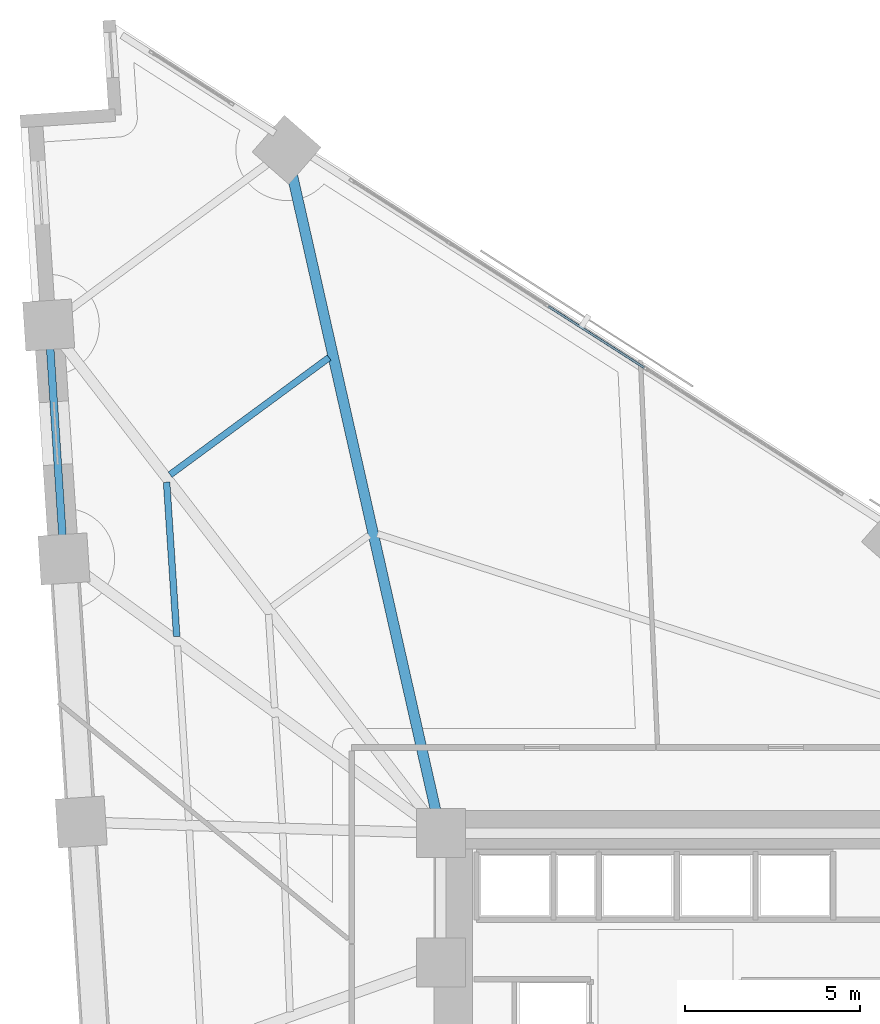
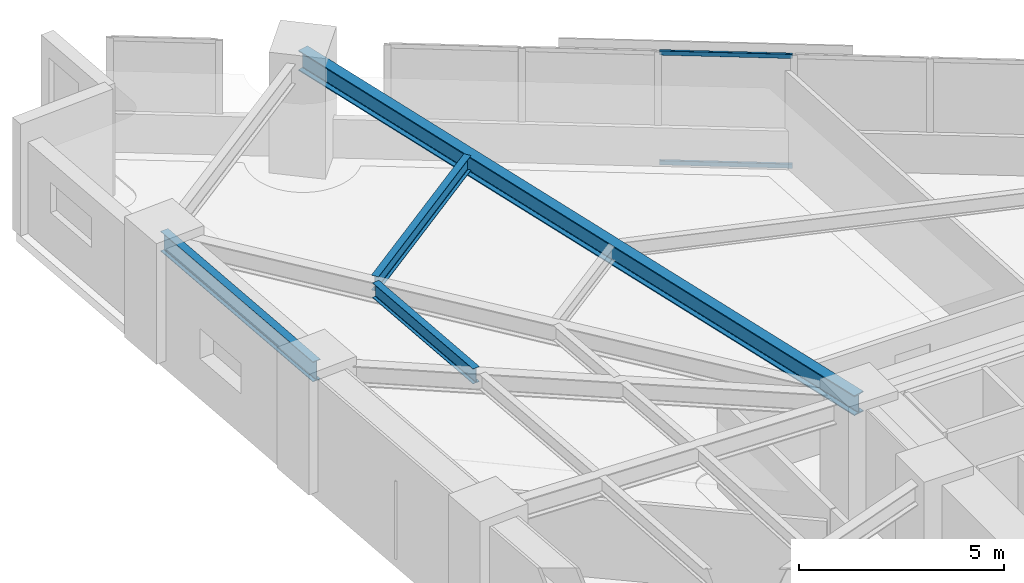
# One storey, part 7 of 15: 4 beams, 2 members, 1 element without a shape of its own.
"""IFC4 building model written with IfcOpenShell, lengths in metres."""

from ifc_helpers import new_model, si_unit, direction, frame, origin, origin_2d, place, context, subcontext, project, spatial, hollow_rectangle, i_section, extrude, material, material_profile, profile_set, type_object, element, aggregate, save


model = new_model("IFC4")

# Units and contexts
model_context = context("Model", 3, precision=1e-05, world=origin(), true_north=direction((0.0, 1.0)))
body_context = subcontext(model_context, "Body", "Model", "MODEL_VIEW")
ifc_project = project(units=[si_unit("LENGTHUNIT", "METRE"), si_unit("AREAUNIT", "SQUARE_METRE"), si_unit("VOLUMEUNIT", "CUBIC_METRE"), si_unit("PLANEANGLEUNIT", "RADIAN"), si_unit("MASSUNIT", "GRAM", prefix="KILO")], contexts=[model_context])

# Site, building, storey
site_placement = place(None, origin())
site = spatial("IfcSite", under=ifc_project, at=site_placement, CompositionType="ELEMENT")
building_placement = place(site_placement, origin())
building = spatial("IfcBuilding", under=site, at=building_placement, Name="Narakoshi Arena Tower", CompositionType="ELEMENT")
storey_placement = place(building_placement, frame((0.0, 0.0, 74.10009765625)))
storey = spatial("IfcBuildingStorey", under=building, at=storey_placement, Name="L19", CompositionType="ELEMENT", Elevation=74.10009765625)

# Beams
ifc_material_1 = material(Name="Structural steel S355J2", Category="steel")
ifc_material_profile_1 = material_profile(ifc_material_1, i_section(OverallWidth=0.219970703125, OverallDepth=0.60009765625, WebThickness=0.011962890625, FlangeThickness=0.01904296875, FilletRadius=0.02392578125, at=origin_2d()), Name="IPE600")
ifc_profile_set_1 = profile_set([ifc_material_profile_1], Name="Structural steel S355J2")
beam_type_1 = type_object("IfcBeamType", Name="BM-EDGE-600", PredefinedType="BEAM", material=ifc_profile_set_1)
beam_1_placement = place(storey_placement, frame((60.785400390625, 71.031005859375, 3.039794921875), z_axis=(0.065421350693, -0.997857728774, 0.0), x_axis=(0.997857728774, 0.065421350693, 0.0)))
element("IfcBeam", 1, at=beam_1_placement, inside=storey, type_object=beam_type_1, Name="L19 Perimeter Edge Girder 12", PredefinedType="BEAM", context=body_context, shape_type="SweptSolid", body=[
    extrude(i_section(OverallWidth=0.219970703125, OverallDepth=0.60009765625, WebThickness=0.011962890625, FlangeThickness=0.01904296875, FilletRadius=0.02392578125, at=origin_2d()), origin(), (0.0, 0.0, 1.0), 6.702392578125),
])
ifc_material_profile_2 = material_profile(ifc_material_1, i_section(OverallWidth=0.300048828125, OverallDepth=0.60009765625, WebThickness=0.015380859375, FlangeThickness=0.030029296875, FilletRadius=0.027099609375, at=origin_2d()), Name="HE600B")
ifc_profile_set_2 = profile_set([ifc_material_profile_2], Name="Structural steel S355J2")
beam_type_2 = type_object("IfcBeamType", Name="BM-PRI-600", PredefinedType="BEAM", material=ifc_profile_set_2)
beam_2_placement = place(storey_placement, frame((72.0, 56.5, 3.039794921875), z_axis=(-0.220123978285, 0.975471903329, 0.0), x_axis=(-0.975471903329, -0.220123978285, 0.0)))
element("IfcBeam", 2, at=beam_2_placement, inside=storey, type_object=beam_type_2, Name="L19 Radial Primary Floor Girder 11", PredefinedType="BEAM", context=body_context, shape_type="SweptSolid", body=[
    extrude(i_section(OverallWidth=0.300048828125, OverallDepth=0.60009765625, WebThickness=0.015380859375, FlangeThickness=0.030029296875, FilletRadius=0.027099609375, at=origin_2d()), origin(), (0.0, 0.0, 1.0), 20.034912109375),
])
ifc_material_profile_3 = material_profile(ifc_material_1, i_section(OverallWidth=0.18994140625, OverallDepth=0.449951171875, WebThickness=0.009521484375, FlangeThickness=0.0146484375, FilletRadius=0.02099609375, at=origin_2d()), Name="IPE450")
ifc_profile_set_3 = profile_set([ifc_material_profile_3], Name="Structural steel S355J2")
beam_type_3 = type_object("IfcBeamType", Name="BM-SEC-450", PredefinedType="JOIST", material=ifc_profile_set_3)
beam_3_placement = place(storey_placement, frame((68.80419921875, 70.100341796875, 3.114990234375), z_axis=(-0.805123218291, -0.593107581615, 0.0), x_axis=(0.593107581615, -0.805123218291, 0.0)))
element("IfcBeam", 3, at=beam_3_placement, inside=storey, type_object=beam_type_3, Name="L19 Composite Secondary Floor Joist 05", PredefinedType="JOIST", context=body_context, shape_type="SweptSolid", body=[
    extrude(i_section(OverallWidth=0.18994140625, OverallDepth=0.449951171875, WebThickness=0.009521484375, FlangeThickness=0.0146484375, FilletRadius=0.02099609375, at=origin_2d()), origin(), (0.0, 0.0, 1.0), 5.64599609375),
])
beam_4_placement = place(storey_placement, frame((64.15869140625, 66.536865234375, 3.114990234375), z_axis=(0.065375559108, -0.997860729897, 0.0), x_axis=(0.997860729897, 0.065375559108, 0.0)))
element("IfcBeam", 4, at=beam_4_placement, inside=storey, type_object=beam_type_3, Name="L19 Composite Secondary Floor Joist 07", PredefinedType="JOIST", context=body_context, shape_type="SweptSolid", body=[
    extrude(i_section(OverallWidth=0.18994140625, OverallDepth=0.449951171875, WebThickness=0.009521484375, FlangeThickness=0.0146484375, FilletRadius=0.02099609375, at=origin_2d()), origin(), (0.0, 0.0, 1.0), 4.421630859375),
])

# Curtain wall, members
ifc_material_2 = material(Name="Anodised bronze aluminium 6063-T6", Category="aluminium")
curtain_wall_type = type_object("IfcCurtainWallType", Name="CW-HYP-LOW", PredefinedType="NOTDEFINED", material=ifc_material_2)
curtain_wall_placement = place(storey_placement, origin())
curtain_wall = element("IfcCurtainWall", 5, at=curtain_wall_placement, inside=storey, type_object=curtain_wall_type, Name="L19 Folded Hypotenuse Curtain Wall 2-2", PredefinedType="NOTDEFINED")
ifc_material_profile_4 = material_profile(ifc_material_2, hollow_rectangle(XDim=0.06494140625, YDim=0.1298828125, WallThickness=0.00390625, OuterFilletRadius=0.0048828125, at=origin_2d()), Name="TRN130x65x4")
ifc_profile_set_4 = profile_set([ifc_material_profile_4], Name="Anodised bronze aluminium 6063-T6")
member_type = type_object("IfcMemberType", Name="MEM-TRN-130", PredefinedType="USERDEFINED", material=ifc_profile_set_4)
member_1_placement = place(storey_placement, frame((77.81201171875, 69.813720703125, 0.032470703125), z_axis=(-0.842407668774, 0.5388407182, 0.0), x_axis=(-0.5388407182, -0.842407668774, 0.0)))
member_1 = element("IfcMember", 6, at=member_1_placement, type_object=member_type, Name="CW-01 transom 3.1", ObjectType="TRANSOM", PredefinedType="USERDEFINED", context=body_context, shape_type="SweptSolid", body=[
    extrude(hollow_rectangle(XDim=0.06494140625, YDim=0.1298828125, WallThickness=0.00390625, OuterFilletRadius=0.0048828125, at=origin_2d()), origin(), (0.0, 0.0, 1.0), 3.253173828125),
])
member_2_placement = place(storey_placement, frame((77.81201171875, 69.813720703125, 3.307373046875), z_axis=(-0.842407668774, 0.5388407182, 0.0), x_axis=(-0.5388407182, -0.842407668774, 0.0)))
member_2 = element("IfcMember", 7, at=member_2_placement, type_object=member_type, Name="CW-01 transom 3.2", ObjectType="TRANSOM", PredefinedType="USERDEFINED", context=body_context, shape_type="SweptSolid", body=[
    extrude(hollow_rectangle(XDim=0.06494140625, YDim=0.1298828125, WallThickness=0.00390625, OuterFilletRadius=0.0048828125, at=origin_2d()), origin(), (0.0, 0.0, 1.0), 3.253173828125),
])
aggregate(curtain_wall, [member_1, member_2])

save(model, "model.ifc")
